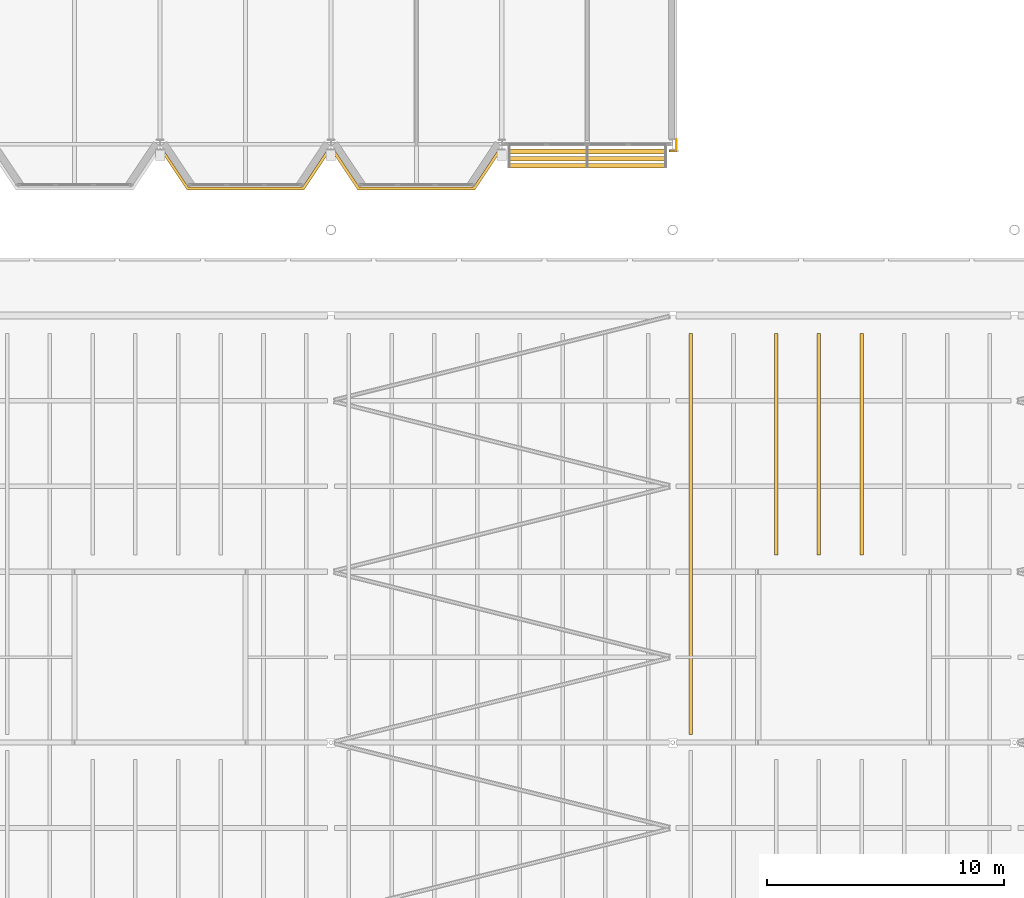
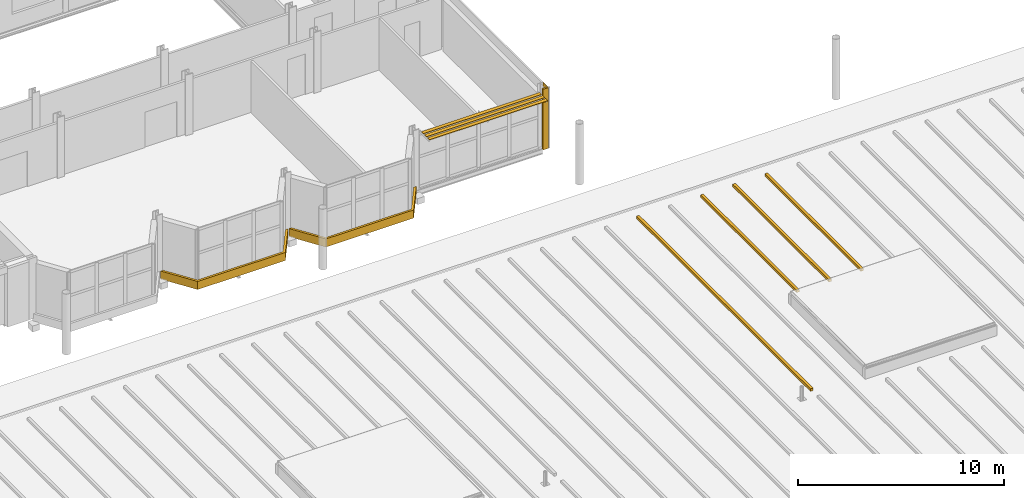
# One storey, part 115 of 120: 8 coverings, 3 shading devices.
"""IFC4 building model written with IfcOpenShell, lengths in metres."""

from ifc_helpers import new_model, si_unit, direction, frame, origin, origin_2d, place, context, subcontext, project, spatial, polyline, rectangle, outline, extrude, material, layer, layer_set, type_object, element, save


model = new_model("IFC4")

# Units and contexts
model_context = context("Model", 3, precision=1e-05, world=origin(), true_north=direction((0.0, 1.0)))
body_context = subcontext(model_context, "Body", "Model", "MODEL_VIEW")
ifc_project = project(units=[si_unit("LENGTHUNIT", "METRE"), si_unit("AREAUNIT", "SQUARE_METRE"), si_unit("VOLUMEUNIT", "CUBIC_METRE"), si_unit("PLANEANGLEUNIT", "RADIAN"), si_unit("MASSUNIT", "GRAM", prefix="KILO")], contexts=[model_context])

# Site, building, storey
site_placement = place(None, origin())
site = spatial("IfcSite", under=ifc_project, at=site_placement, CompositionType="ELEMENT")
building_placement = place(site_placement, origin())
building = spatial("IfcBuilding", under=site, at=building_placement, Name="Kupolbacken Congress Centre", CompositionType="ELEMENT")
storey_placement = place(building_placement, frame((0.0, 0.0, 21.60009765625)))
storey = spatial("IfcBuildingStorey", under=building, at=storey_placement, Name="L06", CompositionType="ELEMENT", Elevation=21.60009765625)

# Coverings
ifc_material_1 = material(Name="Limestone cladding", Category="masonry")
ifc_layer_1 = layer(ifc_material_1, 0.1201171875)
ifc_layer_set_1 = layer_set([ifc_layer_1], Name="Limestone cladding")
covering_type_1 = type_object("IfcCoveringType", Name="CV1 limestone cladding band 120", PredefinedType="CLADDING", material=ifc_layer_set_1)
covering_1_placement = place(storey_placement, frame((0.0, 0.0, -0.2001953125)))
element("IfcCovering", 1, at=covering_1_placement, inside=storey, type_object=covering_type_1, Name="E/T/belt/L06/S/115.2", PredefinedType="CLADDING", context=body_context, shape_type="SweptSolid", body=[
    extrude(outline(polyline([(122.377685546875, 122.14990234375), (122.2333984375, 122.14990234375), (121.199951171875, 120.60009765625), (116.39990234375, 120.60009765625), (115.36669921875, 122.14990234375), (115.222412109375, 122.14990234375), (116.335693359375, 120.47998046875), (121.26416015625, 120.47998046875), (122.377685546875, 122.14990234375)])), origin(), (0.0, 0.0, 1.0), 0.47998046875),
])
covering_2_placement = place(storey_placement, frame((0.0, 0.0, -0.2001953125)))
element("IfcCovering", 2, at=covering_2_placement, inside=storey, type_object=covering_type_1, Name="E/T/belt/L06/S/122.4", PredefinedType="CLADDING", context=body_context, shape_type="SweptSolid", body=[
    extrude(outline(polyline([(129.57763671875, 122.14990234375), (129.433349609375, 122.14990234375), (128.39990234375, 120.60009765625), (123.60009765625, 120.60009765625), (122.566650390625, 122.14990234375), (122.42236328125, 122.14990234375), (123.535888671875, 120.47998046875), (128.464111328125, 120.47998046875), (129.57763671875, 122.14990234375)])), origin(), (0.0, 0.0, 1.0), 0.47998046875),
])
ifc_material_2 = material(Name="Standing seam zinc roofing on boarding", Category="metal")
ifc_layer_2 = layer(ifc_material_2, 0.080078125)
ifc_layer_set_2 = layer_set([ifc_layer_2], Name="Standing seam zinc roofing on boarding")
covering_type_2 = type_object("IfcCoveringType", Name="CV12 standing seam roof rib 80", PredefinedType="ROOFING", material=ifc_layer_set_2)
covering_3_placement = place(storey_placement, frame((137.56005859375, 105.9853515625, 0.27001953125), z_axis=(0.0, 0.0, 1.0), x_axis=(0.0, 1.0, 0.0)))
element("IfcCovering", 3, at=covering_3_placement, inside=storey, type_object=covering_type_2, Name="F/HR/rib/28/4", PredefinedType="ROOFING", context=body_context, shape_type="SweptSolid", body=[
    extrude(rectangle(XDim=16.9091796875, YDim=0.14990234375, at=origin_2d()), origin(), (0.0, 0.0, 1.0), 0.14990234375),
])
for number, where, z_axis, x_axis, name in (
    (4, (141.159912109375, 109.77490234375, 0.27001953125), (0.0, 0.0, 1.0), (0.0, 1.0, 0.0), "F/HR/rib/30/3"),
    (5, (142.9599609375, 109.77490234375, 0.27001953125), (0.0, 0.0, 1.0), (0.0, 1.0, 0.0), "F/HR/rib/31/3"),
    (6, (144.760009765625, 109.77490234375, 0.27001953125), (0.0, 0.0, 1.0), (0.0, 1.0, 0.0), "F/HR/rib/32/3"),
):
    element("IfcCovering", number, at=place(storey_placement, frame(where, z_axis=z_axis, x_axis=x_axis)), inside=storey, type_object=covering_type_2, Name=name, PredefinedType="ROOFING", context=body_context, shape_type="SweptSolid", body=[
        extrude(rectangle(XDim=9.330078125, YDim=0.14990234375, at=origin_2d()), origin(), (0.0, 0.0, 1.0), 0.14990234375),
    ])
ifc_material_3 = material(Name="Brick cladding", Category="masonry")
ifc_layer_3 = layer(ifc_material_3, 0.10791015625)
ifc_layer_set_3 = layer_set([ifc_layer_3], Name="Brick cladding")
covering_type_3 = type_object("IfcCoveringType", Name="CV2 brick cladding band 108", PredefinedType="CLADDING", material=ifc_layer_set_3)
covering_4_placement = place(storey_placement, frame((136.9599609375, 122.39990234375, -0.000244140625), z_axis=(0.0, 0.0, 1.0), x_axis=(1.0, 0.0, 0.0)))
element("IfcCovering", 7, at=covering_4_placement, inside=storey, type_object=covering_type_3, Name="E/T/pilaster/L06/C-T-20T/E", PredefinedType="CLADDING", context=body_context, shape_type="SweptSolid", body=[
    extrude(rectangle(XDim=0.02001953125, YDim=0.449951171875, at=origin_2d()), origin(), (0.0, 0.0, 1.0), 3.60009765625),
])
covering_5_placement = place(storey_placement, frame((136.800048828125, 122.125, -0.000244140625), z_axis=(0.0, 0.0, 1.0), x_axis=(1.0, 0.0, 0.0)))
element("IfcCovering", 8, at=covering_5_placement, inside=storey, type_object=covering_type_3, Name="E/T/pilaster/L06/C-T-20T/S", PredefinedType="CLADDING", context=body_context, shape_type="SweptSolid", body=[
    extrude(rectangle(XDim=0.300048828125, YDim=0.10009765625, at=origin_2d()), origin(), (0.0, 0.0, 1.0), 3.60009765625),
])

# Shading devices
ifc_material_4 = material(Name="Aluminium alloy louvre", Category="aluminium")
ifc_layer_4 = layer(ifc_material_4, 0.030029296875)
ifc_layer_set_4 = layer_set([ifc_layer_4], Name="Aluminium alloy louvre")
shading_device_type = type_object("IfcShadingDeviceType", Name="SC1 louvre blade 30 x 200", PredefinedType="JALOUSIE", material=ifc_layer_set_4)
for number, where, z_axis, x_axis, name in (
    (9, (133.20166015625, 122.10009765625, 3.35986328125), (0.0, 0.0, 1.0), (1.0, 0.0, 0.0), "Brise-soleil blade"),
    (10, (133.20166015625, 121.800048828125, 3.35986328125), (0.0, 0.0, 1.0), (1.0, 0.0, 0.0), "Brise-soleil blade"),
    (11, (133.20166015625, 121.5, 3.35986328125), (0.0, 0.0, 1.0), (1.0, 0.0, 0.0), "Brise-soleil blade"),
):
    element("IfcShadingDevice", number, at=place(storey_placement, frame(where, z_axis=z_axis, x_axis=x_axis)), inside=storey, type_object=shading_device_type, Name=name, PredefinedType="JALOUSIE", context=body_context, shape_type="SweptSolid", body=[
        extrude(rectangle(XDim=6.636474609375, YDim=0.199951171875, at=origin_2d()), origin(), (0.0, 0.0, 1.0), 0.030029296875),
    ])

save(model, "model.ifc")
